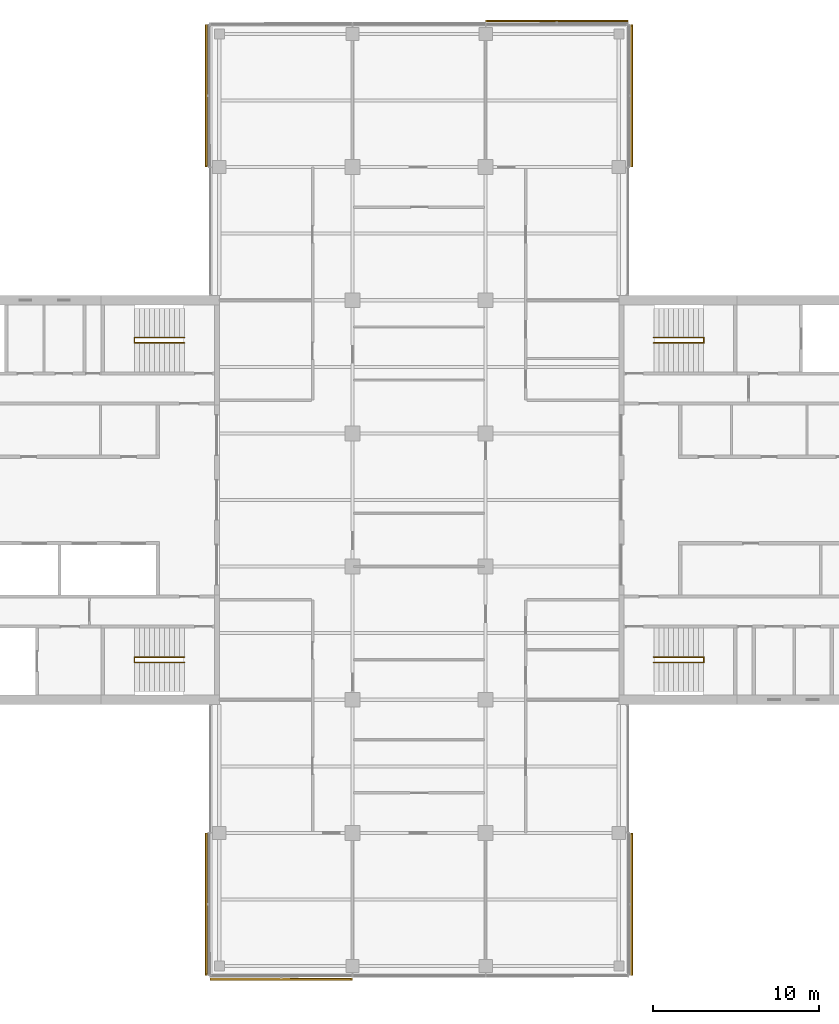
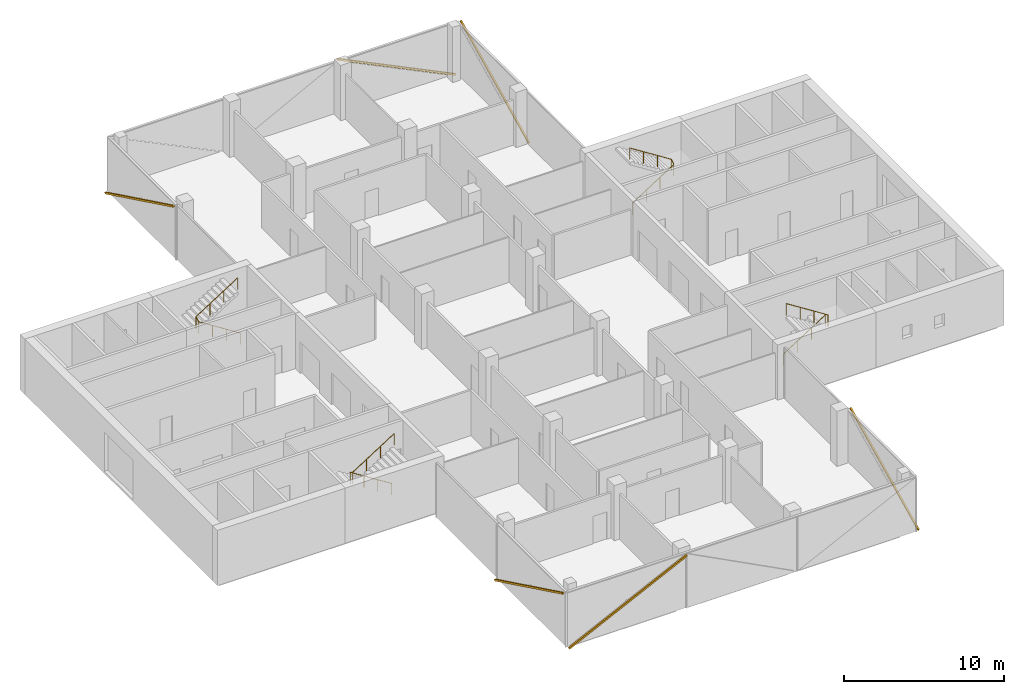
# One storey, part 15 of 15: 6 shading devices, 4 railings, 6 elements without a shape of their own.
"""IFC4 building model written with IfcOpenShell, lengths in metres."""

from ifc_helpers import new_model, si_unit, direction, frame, origin, origin_2d, place, context, subcontext, project, spatial, rectangle, circle, extrude, material, material_profile, profile_set, type_object, element, aggregate, save


model = new_model("IFC4")

# Units and contexts
model_context = context("Model", 3, precision=1e-05, world=origin(), true_north=direction((0.0, 1.0)))
body_context = subcontext(model_context, "Body", "Model", "MODEL_VIEW")
ifc_project = project(units=[si_unit("LENGTHUNIT", "METRE"), si_unit("AREAUNIT", "SQUARE_METRE"), si_unit("VOLUMEUNIT", "CUBIC_METRE"), si_unit("PLANEANGLEUNIT", "RADIAN"), si_unit("MASSUNIT", "GRAM", prefix="KILO")], contexts=[model_context])

# Site, building, storey
site_placement = place(None, origin())
site = spatial("IfcSite", under=ifc_project, at=site_placement, CompositionType="ELEMENT")
building_placement = place(site_placement, origin())
building = spatial("IfcBuilding", under=site, at=building_placement, Name="Crosswind Convention Tower", CompositionType="ELEMENT")
storey_placement = place(building_placement, frame((0.0, 0.0, 204.10009765625)))
storey = spatial("IfcBuildingStorey", under=building, at=storey_placement, Name="L43", CompositionType="ELEMENT", Elevation=204.10009765625)

# Railings
ifc_material_1 = material(Name="Stainless steel", Category="steel")
railing_type = type_object("IfcRailingType", Name="Stair handrail 900", PredefinedType="HANDRAIL", material=ifc_material_1)
railing_1_placement = place(storey_placement, frame((139.10009765625, 109.43994140625, 0.19091796875)))
element("IfcRailing", 1, at=railing_1_placement, inside=storey, type_object=railing_type, Name="Stair ST1 handrail L43", PredefinedType="HANDRAIL", context=body_context, shape_type="SweptSolid", body=[
    extrude(circle(Radius=0.02392578125, at=origin_2d()), frame((0.0, 0.0, 0.8759765625), z_axis=(0.843681277094, 0.0, 0.536844393359), x_axis=(0.0, 1.0, 0.0)), (0.0, 0.0, 1.0), 3.555908203125),
    extrude(circle(Radius=0.02392578125, at=origin_2d()), frame((3.0, 0.0, 2.78466796875), z_axis=(0.0, 0.858819504967, 0.512278301208), x_axis=(-1.0, 0.0, 0.0)), (0.0, 0.0, 1.0), 0.372802734375),
    extrude(circle(Radius=0.02392578125, at=origin_2d()), frame((3.0, 0.320068359375, 2.9755859375), z_axis=(-0.843650179428, 0.0, 0.536893261973), x_axis=(0.0, -1.0, 0.0)), (0.0, 0.0, 1.0), 3.555908203125),
    extrude(circle(Radius=0.02099609375, at=origin_2d()), origin(), (0.0, 0.0, 1.0), 0.851806640625),
    extrude(circle(Radius=0.02099609375, at=origin_2d()), frame((1.0, 0.0, 0.63623046875)), (0.0, 0.0, 1.0), 0.851806640625),
    extrude(circle(Radius=0.02099609375, at=origin_2d()), frame((2.0, 0.0, 1.272705078125)), (0.0, 0.0, 1.0), 0.851806640625),
    extrude(circle(Radius=0.02099609375, at=origin_2d()), frame((3.0, 0.0, 1.908935546875)), (0.0, 0.0, 1.0), 0.851806640625),
    extrude(circle(Radius=0.02099609375, at=origin_2d()), frame((3.0, 0.320068359375, 2.099853515625)), (0.0, 0.0, 1.0), 0.851806640625),
    extrude(circle(Radius=0.02099609375, at=origin_2d()), frame((2.0, 0.320068359375, 2.736328125)), (0.0, 0.0, 1.0), 0.851806640625),
    extrude(circle(Radius=0.02099609375, at=origin_2d()), frame((1.0, 0.320068359375, 3.37255859375)), (0.0, 0.0, 1.0), 0.851806640625),
    extrude(circle(Radius=0.02099609375, at=origin_2d()), frame((0.0, 0.320068359375, 4.009033203125)), (0.0, 0.0, 1.0), 0.851806640625),
])
railing_2_placement = place(storey_placement, frame((139.10009765625, 90.56005859375, 0.19091796875)))
element("IfcRailing", 2, at=railing_2_placement, inside=storey, type_object=railing_type, Name="Stair ST2 handrail L43", PredefinedType="HANDRAIL", context=body_context, shape_type="SweptSolid", body=[
    extrude(circle(Radius=0.02392578125, at=origin_2d()), frame((0.0, 0.0, 0.8759765625), z_axis=(0.843681277094, 0.0, 0.536844393359), x_axis=(0.0, 1.0, 0.0)), (0.0, 0.0, 1.0), 3.555908203125),
    extrude(circle(Radius=0.02392578125, at=origin_2d()), frame((3.0, 0.0, 2.78466796875), z_axis=(0.0, -0.858819504967, 0.512278301208), x_axis=(1.0, 0.0, 0.0)), (0.0, 0.0, 1.0), 0.372802734375),
    extrude(circle(Radius=0.02392578125, at=origin_2d()), frame((3.0, -0.320068359375, 2.9755859375), z_axis=(-0.843650179428, 0.0, 0.536893261973), x_axis=(0.0, -1.0, 0.0)), (0.0, 0.0, 1.0), 3.555908203125),
    extrude(circle(Radius=0.02099609375, at=origin_2d()), origin(), (0.0, 0.0, 1.0), 0.851806640625),
    extrude(circle(Radius=0.02099609375, at=origin_2d()), frame((1.0, 0.0, 0.63623046875)), (0.0, 0.0, 1.0), 0.851806640625),
    extrude(circle(Radius=0.02099609375, at=origin_2d()), frame((2.0, 0.0, 1.272705078125)), (0.0, 0.0, 1.0), 0.851806640625),
    extrude(circle(Radius=0.02099609375, at=origin_2d()), frame((3.0, 0.0, 1.908935546875)), (0.0, 0.0, 1.0), 0.851806640625),
    extrude(circle(Radius=0.02099609375, at=origin_2d()), frame((3.0, -0.320068359375, 2.099853515625)), (0.0, 0.0, 1.0), 0.851806640625),
    extrude(circle(Radius=0.02099609375, at=origin_2d()), frame((2.0, -0.320068359375, 2.736328125)), (0.0, 0.0, 1.0), 0.851806640625),
    extrude(circle(Radius=0.02099609375, at=origin_2d()), frame((1.0, -0.320068359375, 3.37255859375)), (0.0, 0.0, 1.0), 0.851806640625),
    extrude(circle(Radius=0.02099609375, at=origin_2d()), frame((0.0, -0.320068359375, 4.009033203125)), (0.0, 0.0, 1.0), 0.851806640625),
])
railing_3_placement = place(storey_placement, frame((110.89990234375, 90.56005859375, 0.19091796875)))
element("IfcRailing", 3, at=railing_3_placement, inside=storey, type_object=railing_type, Name="Stair ST3 handrail L43", PredefinedType="HANDRAIL", context=body_context, shape_type="SweptSolid", body=[
    extrude(circle(Radius=0.02392578125, at=origin_2d()), frame((0.0, 0.0, 0.8759765625), z_axis=(-0.843681277094, 0.0, 0.536844393359), x_axis=(0.0, -1.0, 0.0)), (0.0, 0.0, 1.0), 3.555908203125),
    extrude(circle(Radius=0.02392578125, at=origin_2d()), frame((-3.0, 0.0, 2.78466796875), z_axis=(0.0, -0.858819504967, 0.512278301208), x_axis=(1.0, 0.0, 0.0)), (0.0, 0.0, 1.0), 0.372802734375),
    extrude(circle(Radius=0.02392578125, at=origin_2d()), frame((-3.0, -0.320068359375, 2.9755859375), z_axis=(0.843650179428, 0.0, 0.536893261973), x_axis=(0.0, 1.0, 0.0)), (0.0, 0.0, 1.0), 3.555908203125),
    extrude(circle(Radius=0.02099609375, at=origin_2d()), origin(), (0.0, 0.0, 1.0), 0.851806640625),
    extrude(circle(Radius=0.02099609375, at=origin_2d()), frame((-1.0, 0.0, 0.63623046875)), (0.0, 0.0, 1.0), 0.851806640625),
    extrude(circle(Radius=0.02099609375, at=origin_2d()), frame((-2.0, 0.0, 1.272705078125)), (0.0, 0.0, 1.0), 0.851806640625),
    extrude(circle(Radius=0.02099609375, at=origin_2d()), frame((-3.0, 0.0, 1.908935546875)), (0.0, 0.0, 1.0), 0.851806640625),
    extrude(circle(Radius=0.02099609375, at=origin_2d()), frame((-3.0, -0.320068359375, 2.099853515625)), (0.0, 0.0, 1.0), 0.851806640625),
    extrude(circle(Radius=0.02099609375, at=origin_2d()), frame((-2.0, -0.320068359375, 2.736328125)), (0.0, 0.0, 1.0), 0.851806640625),
    extrude(circle(Radius=0.02099609375, at=origin_2d()), frame((-1.0, -0.320068359375, 3.37255859375)), (0.0, 0.0, 1.0), 0.851806640625),
    extrude(circle(Radius=0.02099609375, at=origin_2d()), frame((0.0, -0.320068359375, 4.009033203125)), (0.0, 0.0, 1.0), 0.851806640625),
])
railing_4_placement = place(storey_placement, frame((110.89990234375, 109.43994140625, 0.19091796875)))
element("IfcRailing", 4, at=railing_4_placement, inside=storey, type_object=railing_type, Name="Stair ST4 handrail L43", PredefinedType="HANDRAIL", context=body_context, shape_type="SweptSolid", body=[
    extrude(circle(Radius=0.02392578125, at=origin_2d()), frame((0.0, 0.0, 0.8759765625), z_axis=(-0.843681277094, 0.0, 0.536844393359), x_axis=(0.0, -1.0, 0.0)), (0.0, 0.0, 1.0), 3.555908203125),
    extrude(circle(Radius=0.02392578125, at=origin_2d()), frame((-3.0, 0.0, 2.78466796875), z_axis=(0.0, 0.858819504967, 0.512278301208), x_axis=(-1.0, 0.0, 0.0)), (0.0, 0.0, 1.0), 0.372802734375),
    extrude(circle(Radius=0.02392578125, at=origin_2d()), frame((-3.0, 0.320068359375, 2.9755859375), z_axis=(0.843650179428, 0.0, 0.536893261973), x_axis=(0.0, 1.0, 0.0)), (0.0, 0.0, 1.0), 3.555908203125),
    extrude(circle(Radius=0.02099609375, at=origin_2d()), origin(), (0.0, 0.0, 1.0), 0.851806640625),
    extrude(circle(Radius=0.02099609375, at=origin_2d()), frame((-1.0, 0.0, 0.63623046875)), (0.0, 0.0, 1.0), 0.851806640625),
    extrude(circle(Radius=0.02099609375, at=origin_2d()), frame((-2.0, 0.0, 1.272705078125)), (0.0, 0.0, 1.0), 0.851806640625),
    extrude(circle(Radius=0.02099609375, at=origin_2d()), frame((-3.0, 0.0, 1.908935546875)), (0.0, 0.0, 1.0), 0.851806640625),
    extrude(circle(Radius=0.02099609375, at=origin_2d()), frame((-3.0, 0.320068359375, 2.099853515625)), (0.0, 0.0, 1.0), 0.851806640625),
    extrude(circle(Radius=0.02099609375, at=origin_2d()), frame((-2.0, 0.320068359375, 2.736328125)), (0.0, 0.0, 1.0), 0.851806640625),
    extrude(circle(Radius=0.02099609375, at=origin_2d()), frame((-1.0, 0.320068359375, 3.37255859375)), (0.0, 0.0, 1.0), 0.851806640625),
    extrude(circle(Radius=0.02099609375, at=origin_2d()), frame((0.0, 0.320068359375, 4.009033203125)), (0.0, 0.0, 1.0), 0.851806640625),
])

# Curtain wall, shading device
ifc_material_2 = material(Name="Aluminium unitised curtain wall", Category="aluminium")
curtain_wall_type = type_object("IfcCurtainWallType", Name="OFFICE UNITISED WALL 220", PredefinedType="USERDEFINED", material=ifc_material_2)
curtain_wall_1_placement = place(storey_placement, origin())
curtain_wall_1 = element("IfcCurtainWall", 5, at=curtain_wall_1_placement, inside=storey, type_object=curtain_wall_type, Name="CW3 L43 N-E 1", ObjectType="UNITISED", PredefinedType="USERDEFINED")
ifc_material_3 = material(Name="Extruded terracotta", Category="masonry")
ifc_material_profile = material_profile(ifc_material_3, rectangle(XDim=0.110107421875, YDim=0.1298828125, at=origin_2d()), Name="TC 110X130")
ifc_profile_set = profile_set([ifc_material_profile], Name="Extruded terracotta")
shading_device_type = type_object("IfcShadingDeviceType", Name="TERRACOTTA BAGUETTE 130X110", PredefinedType="USERDEFINED", material=ifc_profile_set)
shading_device_1_placement = place(storey_placement, frame((137.781005859375, 120.034912109375, -0.300048828125), z_axis=(0.0, 0.899251034354, 0.437432940248), x_axis=(-1.0, 0.0, 0.0)))
shading_device_1 = element("IfcShadingDevice", 6, at=shading_device_1_placement, type_object=shading_device_type, Name="CW3 terracotta baguette 1", ObjectType="BAGUETTE", PredefinedType="USERDEFINED", context=body_context, shape_type="SweptSolid", body=[
    extrude(rectangle(XDim=0.110107421875, YDim=0.1298828125, at=origin_2d()), origin(), (0.0, 0.0, 1.0), 9.441162109375),
])
aggregate(curtain_wall_1, [shading_device_1])

curtain_wall_2_placement = place(storey_placement, origin())
curtain_wall_2 = element("IfcCurtainWall", 7, at=curtain_wall_2_placement, inside=storey, type_object=curtain_wall_type, Name="CW3 L43 N-TIP 1", ObjectType="UNITISED", PredefinedType="USERDEFINED")
shading_device_2_placement = place(storey_placement, frame((137.52490234375, 128.781005859375, -0.300048828125), z_axis=(-0.899251034354, 0.0, 0.437432940248), x_axis=(0.0, -1.0, 0.0)))
shading_device_2 = element("IfcShadingDevice", 8, at=shading_device_2_placement, type_object=shading_device_type, Name="CW3 terracotta baguette 1", ObjectType="BAGUETTE", PredefinedType="USERDEFINED", context=body_context, shape_type="SweptSolid", body=[
    extrude(rectangle(XDim=0.110107421875, YDim=0.1298828125, at=origin_2d()), origin(), (0.0, 0.0, 1.0), 9.441162109375),
])
aggregate(curtain_wall_2, [shading_device_2])

curtain_wall_3_placement = place(storey_placement, origin())
curtain_wall_3 = element("IfcCurtainWall", 9, at=curtain_wall_3_placement, inside=storey, type_object=curtain_wall_type, Name="CW3 L43 N-W 1", ObjectType="UNITISED", PredefinedType="USERDEFINED")
shading_device_3_placement = place(storey_placement, frame((112.218994140625, 128.52490234375, -0.300048828125), z_axis=(0.0, -0.899251034354, 0.437432940248), x_axis=(1.0, 0.0, 0.0)))
shading_device_3 = element("IfcShadingDevice", 10, at=shading_device_3_placement, type_object=shading_device_type, Name="CW3 terracotta baguette 1", ObjectType="BAGUETTE", PredefinedType="USERDEFINED", context=body_context, shape_type="SweptSolid", body=[
    extrude(rectangle(XDim=0.110107421875, YDim=0.1298828125, at=origin_2d()), origin(), (0.0, 0.0, 1.0), 9.441162109375),
])
aggregate(curtain_wall_3, [shading_device_3])

curtain_wall_4_placement = place(storey_placement, origin())
curtain_wall_4 = element("IfcCurtainWall", 11, at=curtain_wall_4_placement, inside=storey, type_object=curtain_wall_type, Name="CW3 L43 S-W 1", ObjectType="UNITISED", PredefinedType="USERDEFINED")
shading_device_4_placement = place(storey_placement, frame((112.218994140625, 79.965087890625, -0.300048828125), z_axis=(0.0, -0.899251034354, 0.437432940248), x_axis=(1.0, 0.0, 0.0)))
shading_device_4 = element("IfcShadingDevice", 12, at=shading_device_4_placement, type_object=shading_device_type, Name="CW3 terracotta baguette 1", ObjectType="BAGUETTE", PredefinedType="USERDEFINED", context=body_context, shape_type="SweptSolid", body=[
    extrude(rectangle(XDim=0.110107421875, YDim=0.1298828125, at=origin_2d()), origin(), (0.0, 0.0, 1.0), 9.441162109375),
])
aggregate(curtain_wall_4, [shading_device_4])

curtain_wall_5_placement = place(storey_placement, origin())
curtain_wall_5 = element("IfcCurtainWall", 13, at=curtain_wall_5_placement, inside=storey, type_object=curtain_wall_type, Name="CW3 L43 S-TIP 1", ObjectType="UNITISED", PredefinedType="USERDEFINED")
shading_device_5_placement = place(storey_placement, frame((112.47509765625, 71.218994140625, -0.300048828125), z_axis=(0.899251034354, 0.0, 0.437432940248), x_axis=(0.0, 1.0, 0.0)))
shading_device_5 = element("IfcShadingDevice", 14, at=shading_device_5_placement, type_object=shading_device_type, Name="CW3 terracotta baguette 1", ObjectType="BAGUETTE", PredefinedType="USERDEFINED", context=body_context, shape_type="SweptSolid", body=[
    extrude(rectangle(XDim=0.110107421875, YDim=0.1298828125, at=origin_2d()), origin(), (0.0, 0.0, 1.0), 9.441162109375),
])
aggregate(curtain_wall_5, [shading_device_5])

curtain_wall_6_placement = place(storey_placement, origin())
curtain_wall_6 = element("IfcCurtainWall", 15, at=curtain_wall_6_placement, inside=storey, type_object=curtain_wall_type, Name="CW3 L43 S-E 1", ObjectType="UNITISED", PredefinedType="USERDEFINED")
shading_device_6_placement = place(storey_placement, frame((137.781005859375, 71.47509765625, -0.300048828125), z_axis=(0.0, 0.899251034354, 0.437432940248), x_axis=(-1.0, 0.0, 0.0)))
shading_device_6 = element("IfcShadingDevice", 16, at=shading_device_6_placement, type_object=shading_device_type, Name="CW3 terracotta baguette 1", ObjectType="BAGUETTE", PredefinedType="USERDEFINED", context=body_context, shape_type="SweptSolid", body=[
    extrude(rectangle(XDim=0.110107421875, YDim=0.1298828125, at=origin_2d()), origin(), (0.0, 0.0, 1.0), 9.441162109375),
])
aggregate(curtain_wall_6, [shading_device_6])

save(model, "model.ifc")
